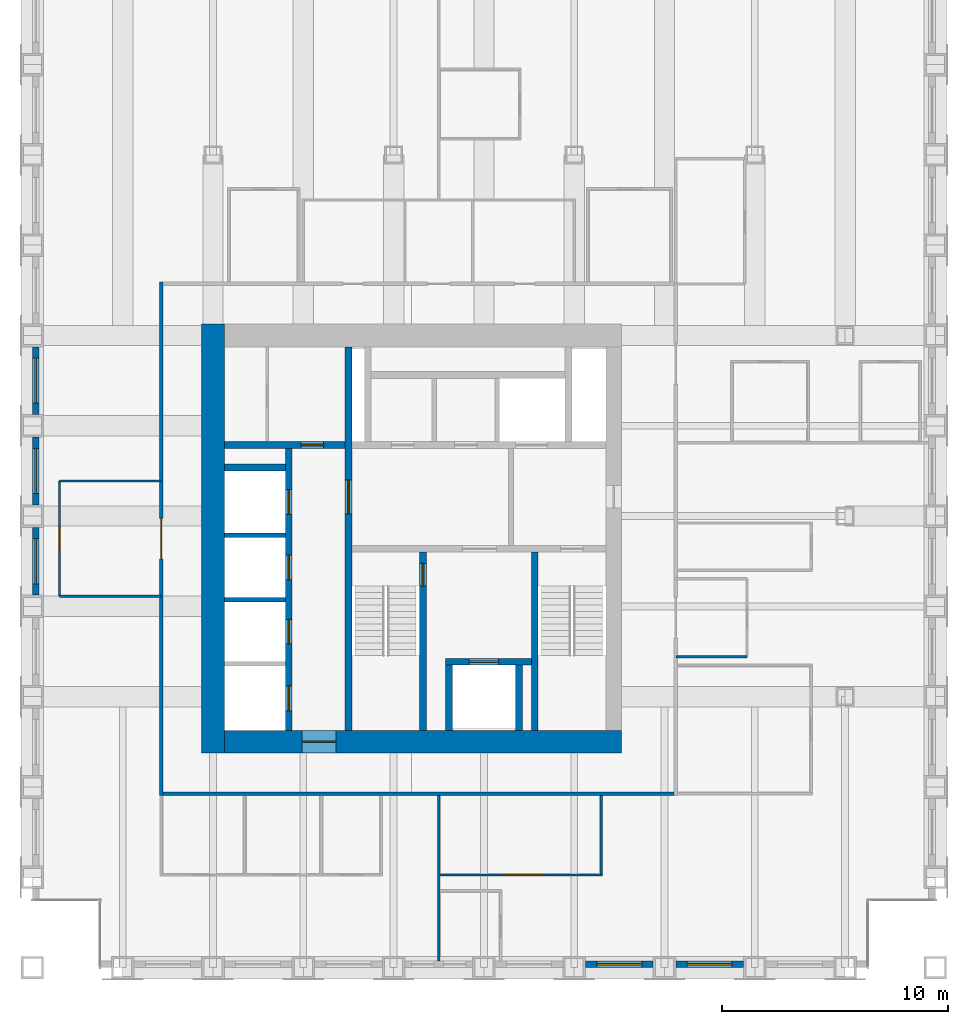
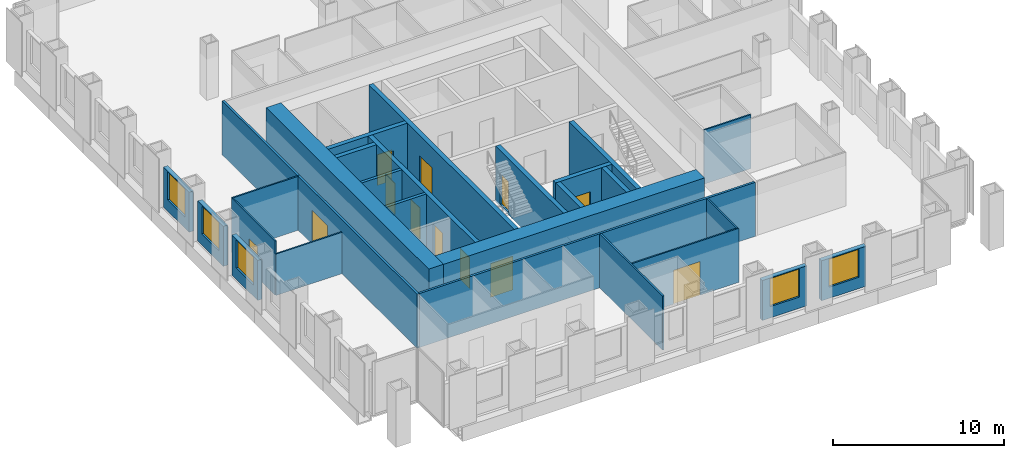
# One storey, part 9 of 14: 27 walls, 12 doors, 5 windows, 17 openings.
"""IFC4 building model written with IfcOpenShell, lengths in metres."""

from ifc_helpers import new_model, si_unit, direction, frame, frame_2d, origin, place, context, subcontext, project, spatial, rectangle, extrude, material, layer, layer_set, type_object, element, fill, save


model = new_model("IFC4")

# Units and contexts
model_context = context("Model", 3, precision=1e-05, world=origin(), true_north=direction((0.0, 1.0)))
body_context = subcontext(model_context, "Body", "Model", "MODEL_VIEW")
ifc_project = project(units=[si_unit("LENGTHUNIT", "METRE"), si_unit("AREAUNIT", "SQUARE_METRE"), si_unit("VOLUMEUNIT", "CUBIC_METRE"), si_unit("PLANEANGLEUNIT", "RADIAN"), si_unit("MASSUNIT", "GRAM", prefix="KILO")], contexts=[model_context])

# Site, building, storey
site_placement = place(None, origin())
site = spatial("IfcSite", under=ifc_project, at=site_placement, CompositionType="ELEMENT")
building_placement = place(site_placement, origin())
building = spatial("IfcBuilding", under=site, at=building_placement, Name="Rimbunsela Tower", CompositionType="ELEMENT")
storey_placement = place(building_placement, frame((0.0, 0.0, 226.199951171875)))
storey = spatial("IfcBuildingStorey", under=building, at=storey_placement, Name="L54", CompositionType="ELEMENT", Elevation=226.199951171875)

# Wall, opening, door
ifc_material_1 = material(Name="Concrete fc' 80 MPa", Category="concrete")
ifc_layer_1 = layer(ifc_material_1, 0.300048828125)
ifc_layer_set_1 = layer_set([ifc_layer_1], Name="Core internal wall 300")
wall_type_1 = type_object("IfcWallType", Name="Core internal wall 300", PredefinedType="SHEAR", material=ifc_layer_set_1)
wall_1_placement = place(storey_placement, frame((24.0, 18.5, -0.14990234375), z_axis=(0.0, 0.0, 1.0), x_axis=(0.0, 1.0, 0.0)))
wall_1 = element("IfcWall", 1, at=wall_1_placement, inside=storey, type_object=wall_type_1, Name="Core wall at stair A", PredefinedType="SHEAR", context=body_context, shape_type="SweptSolid", body=[
    extrude(rectangle(XDim=17.0, YDim=0.300048828125, at=frame_2d((8.5, 0.0))), origin(), (0.0, 0.0, 1.0), 4.0),
])
opening_1_placement = place(wall_1_placement, frame((9.60009765625, 0.0, 0.14990234375)))
opening_1 = element("IfcOpeningElement", 2, at=opening_1_placement, cuts=wall_1, Name="Opening D03", PredefinedType="OPENING", context=body_context, shape_type="SweptSolid", body=[
    extrude(rectangle(XDim=1.5, YDim=2.39990234375, at=frame_2d((0.75, 1.199951171875))), frame((0.0, 0.159912109375, 0.0), z_axis=(0.0, -1.0, 0.0), x_axis=(1.0, 0.0, 0.0)), (0.0, 0.0, 1.0), 0.320068359375),
])
ifc_material_2 = material(Name="Steel door, fire rated", Category="steel")
door_type_1 = type_object("IfcDoorType", Name="Core lobby door 1500", OperationType="DOUBLE_DOOR_DOUBLE_SWING", PredefinedType="DOOR", material=ifc_material_2)
door_1_placement = place(opening_1_placement, origin())
door_1 = element("IfcDoor", 3, at=door_1_placement, inside=storey, type_object=door_type_1, Name="West lobby door", OperationType="DOUBLE_DOOR_DOUBLE_SWING", OverallHeight=2.39990234375, OverallWidth=1.5, PredefinedType="DOOR", context=body_context, shape_type="SweptSolid", body=[
    extrude(rectangle(XDim=1.5, YDim=2.39990234375, at=frame_2d((0.75, 1.199951171875))), frame((0.0, 0.02490234375, 0.0), z_axis=(0.0, -1.0, 0.0), x_axis=(1.0, 0.0, 0.0)), (0.0, 0.0, 1.0), 0.050048828125),
])
fill(opening_1, door_1)

wall_2_placement = place(storey_placement, frame((27.300048828125, 18.5, -0.14990234375), z_axis=(0.0, 0.0, 1.0), x_axis=(0.0, 1.0, 0.0)))
wall_2 = element("IfcWall", 4, at=wall_2_placement, inside=storey, type_object=wall_type_1, Name="Stair A enclosure", PredefinedType="SHEAR", context=body_context, shape_type="SweptSolid", body=[
    extrude(rectangle(XDim=7.89990234375, YDim=0.300048828125, at=frame_2d((3.949951171875, 0.0))), origin(), (0.0, 0.0, 1.0), 4.0),
])
opening_2_placement = place(wall_2_placement, frame((6.39990234375, 0.0, 0.14990234375)))
opening_2 = element("IfcOpeningElement", 5, at=opening_2_placement, cuts=wall_2, Name="Opening D01", PredefinedType="OPENING", context=body_context, shape_type="SweptSolid", body=[
    extrude(rectangle(XDim=1.0, YDim=2.199951171875, at=frame_2d((0.5, 1.10009765625))), frame((0.0, 0.159912109375, 0.0), z_axis=(0.0, -1.0, 0.0), x_axis=(1.0, 0.0, 0.0)), (0.0, 0.0, 1.0), 0.320068359375),
])
ifc_material_3 = material(Name="Steel door, fire rated", Category="steel")
door_type_2 = type_object("IfcDoorType", Name="Stair door 1000", OperationType="SINGLE_SWING_RIGHT", PredefinedType="DOOR", material=ifc_material_3)
door_2_placement = place(opening_2_placement, origin())
door_2 = element("IfcDoor", 6, at=door_2_placement, inside=storey, type_object=door_type_2, Name="Stair A door", OperationType="SINGLE_SWING_RIGHT", OverallHeight=2.199951171875, OverallWidth=1.0, PredefinedType="DOOR", context=body_context, shape_type="SweptSolid", body=[
    extrude(rectangle(XDim=1.0, YDim=2.199951171875, at=frame_2d((0.5, 1.10009765625))), frame((0.0, 0.02490234375, 0.0), z_axis=(0.0, -1.0, 0.0), x_axis=(1.0, 0.0, 0.0)), (0.0, 0.0, 1.0), 0.050048828125),
])
fill(opening_2, door_2)

# Walls
wall_3_placement = place(storey_placement, frame((32.25, 18.5, -0.14990234375), z_axis=(0.0, 0.0, 1.0), x_axis=(0.0, 1.0, 0.0)))
element("IfcWall", 7, at=wall_3_placement, inside=storey, type_object=wall_type_1, Name="Stair B enclosure", PredefinedType="SHEAR", context=body_context, shape_type="SweptSolid", body=[
    extrude(rectangle(XDim=7.89990234375, YDim=0.300048828125, at=frame_2d((3.949951171875, 0.0))), origin(), (0.0, 0.0, 1.0), 4.0),
])
for number, where, z_axis, x_axis, name in (
    (8, (28.449951171875, 18.5, -0.14990234375), (0.0, 0.0, 1.0), (0.0, 1.0, 0.0), "Firefighting lift shaft west"),
    (9, (31.550048828125, 18.5, -0.14990234375), (0.0, 0.0, 1.0), (0.0, 1.0, 0.0), "Firefighting lift shaft east"),
):
    element("IfcWall", number, at=place(storey_placement, frame(where, z_axis=z_axis, x_axis=x_axis)), inside=storey, type_object=wall_type_1, Name=name, PredefinedType="SHEAR", context=body_context, shape_type="SweptSolid", body=[
        extrude(rectangle(XDim=2.89990234375, YDim=0.300048828125, at=frame_2d((1.449951171875, 0.0))), origin(), (0.0, 0.0, 1.0), 4.0),
    ])

# Wall, opening, door
wall_4_placement = place(storey_placement, frame((28.300048828125, 21.550048828125, -0.14990234375), z_axis=(0.0, 0.0, 1.0), x_axis=(1.0, 0.0, 0.0)))
wall_4 = element("IfcWall", 10, at=wall_4_placement, inside=storey, type_object=wall_type_1, Name="Firefighting lift shaft front", PredefinedType="SHEAR", context=body_context, shape_type="SweptSolid", body=[
    extrude(rectangle(XDim=3.800048828125, YDim=0.300048828125, at=frame_2d((1.89990234375, 0.0))), origin(), (0.0, 0.0, 1.0), 4.0),
])
opening_3_placement = place(wall_4_placement, frame((1.050048828125, 0.0, 0.14990234375)))
opening_3 = element("IfcOpeningElement", 11, at=opening_3_placement, cuts=wall_4, Name="Opening LD2", PredefinedType="OPENING", context=body_context, shape_type="SweptSolid", body=[
    extrude(rectangle(XDim=1.300048828125, YDim=2.39990234375, at=frame_2d((0.64990234375, 1.199951171875))), frame((0.0, 0.159912109375, 0.0), z_axis=(0.0, -1.0, 0.0), x_axis=(1.0, 0.0, 0.0)), (0.0, 0.0, 1.0), 0.320068359375),
])
ifc_material_4 = material(Name="Steel door, fire rated", Category="steel")
door_type_3 = type_object("IfcDoorType", Name="Lift landing door 1300", OperationType="DOUBLE_DOOR_SLIDING", PredefinedType="DOOR", material=ifc_material_4)
door_3_placement = place(opening_3_placement, origin())
door_3 = element("IfcDoor", 12, at=door_3_placement, inside=storey, type_object=door_type_3, Name="Lift landing door FL1", OperationType="DOUBLE_DOOR_SLIDING", OverallHeight=2.39990234375, OverallWidth=1.300048828125, PredefinedType="DOOR", context=body_context, shape_type="SweptSolid", body=[
    extrude(rectangle(XDim=1.300048828125, YDim=2.39990234375, at=frame_2d((0.64990234375, 1.199951171875))), frame((0.0, 0.02490234375, 0.0), z_axis=(0.0, -1.0, 0.0), x_axis=(1.0, 0.0, 0.0)), (0.0, 0.0, 1.0), 0.050048828125),
])
fill(opening_3, door_3)

# Wall, openings, doors
wall_5_placement = place(storey_placement, frame((21.35009765625, 18.5, -0.14990234375), z_axis=(0.0, 0.0, 1.0), x_axis=(0.0, 1.0, 0.0)))
wall_5 = element("IfcWall", 13, at=wall_5_placement, inside=storey, type_object=wall_type_1, Name="Lift shaft front west", PredefinedType="SHEAR", context=body_context, shape_type="SweptSolid", body=[
    extrude(rectangle(XDim=12.5, YDim=0.300048828125, at=frame_2d((6.25, 0.0))), origin(), (0.0, 0.0, 1.0), 4.0),
])
opening_4_placement = place(wall_5_placement, frame((0.875, 0.0, 0.14990234375)))
opening_4 = element("IfcOpeningElement", 14, at=opening_4_placement, cuts=wall_5, Name="Opening LD1", PredefinedType="OPENING", context=body_context, shape_type="SweptSolid", body=[
    extrude(rectangle(XDim=1.10009765625, YDim=2.199951171875, at=frame_2d((0.550048828125, 1.10009765625))), frame((0.0, 0.159912109375, 0.0), z_axis=(0.0, -1.0, 0.0), x_axis=(1.0, 0.0, 0.0)), (0.0, 0.0, 1.0), 0.320068359375),
])
opening_5_placement = place(wall_5_placement, frame((3.824951171875, 0.0, 0.14990234375)))
opening_5 = element("IfcOpeningElement", 15, at=opening_5_placement, cuts=wall_5, Name="Opening LD1", PredefinedType="OPENING", context=body_context, shape_type="SweptSolid", body=[
    extrude(rectangle(XDim=1.10009765625, YDim=2.199951171875, at=frame_2d((0.550048828125, 1.10009765625))), frame((0.0, 0.159912109375, 0.0), z_axis=(0.0, -1.0, 0.0), x_axis=(1.0, 0.0, 0.0)), (0.0, 0.0, 1.0), 0.320068359375),
])
opening_6_placement = place(wall_5_placement, frame((6.675048828125, 0.0, 0.14990234375)))
opening_6 = element("IfcOpeningElement", 16, at=opening_6_placement, cuts=wall_5, Name="Opening LD1", PredefinedType="OPENING", context=body_context, shape_type="SweptSolid", body=[
    extrude(rectangle(XDim=1.10009765625, YDim=2.199951171875, at=frame_2d((0.550048828125, 1.10009765625))), frame((0.0, 0.159912109375, 0.0), z_axis=(0.0, -1.0, 0.0), x_axis=(1.0, 0.0, 0.0)), (0.0, 0.0, 1.0), 0.320068359375),
])
opening_7_placement = place(wall_5_placement, frame((9.574951171875, 0.0, 0.14990234375)))
opening_7 = element("IfcOpeningElement", 17, at=opening_7_placement, cuts=wall_5, Name="Opening LD1", PredefinedType="OPENING", context=body_context, shape_type="SweptSolid", body=[
    extrude(rectangle(XDim=1.10009765625, YDim=2.199951171875, at=frame_2d((0.550048828125, 1.10009765625))), frame((0.0, 0.159912109375, 0.0), z_axis=(0.0, -1.0, 0.0), x_axis=(1.0, 0.0, 0.0)), (0.0, 0.0, 1.0), 0.320068359375),
])
ifc_material_5 = material(Name="Steel door, fire rated", Category="steel")
door_type_4 = type_object("IfcDoorType", Name="Lift landing door 1100", OperationType="DOUBLE_DOOR_SLIDING", PredefinedType="DOOR", material=ifc_material_5)
door_4_placement = place(opening_4_placement, origin())
door_4 = element("IfcDoor", 18, at=door_4_placement, inside=storey, type_object=door_type_4, Name="Lift landing door TL1", OperationType="DOUBLE_DOOR_SLIDING", OverallHeight=2.199951171875, OverallWidth=1.10009765625, PredefinedType="DOOR", context=body_context, shape_type="SweptSolid", body=[
    extrude(rectangle(XDim=1.10009765625, YDim=2.199951171875, at=frame_2d((0.550048828125, 1.10009765625))), frame((0.0, 0.02490234375, 0.0), z_axis=(0.0, -1.0, 0.0), x_axis=(1.0, 0.0, 0.0)), (0.0, 0.0, 1.0), 0.050048828125),
])
fill(opening_4, door_4)
door_5_placement = place(opening_5_placement, origin())
door_5 = element("IfcDoor", 19, at=door_5_placement, inside=storey, type_object=door_type_4, Name="Lift landing door TL2", OperationType="DOUBLE_DOOR_SLIDING", OverallHeight=2.199951171875, OverallWidth=1.10009765625, PredefinedType="DOOR", context=body_context, shape_type="SweptSolid", body=[
    extrude(rectangle(XDim=1.10009765625, YDim=2.199951171875, at=frame_2d((0.550048828125, 1.10009765625))), frame((0.0, 0.02490234375, 0.0), z_axis=(0.0, -1.0, 0.0), x_axis=(1.0, 0.0, 0.0)), (0.0, 0.0, 1.0), 0.050048828125),
])
fill(opening_5, door_5)
door_6_placement = place(opening_6_placement, origin())
door_6 = element("IfcDoor", 20, at=door_6_placement, inside=storey, type_object=door_type_4, Name="Lift landing door TL3", OperationType="DOUBLE_DOOR_SLIDING", OverallHeight=2.199951171875, OverallWidth=1.10009765625, PredefinedType="DOOR", context=body_context, shape_type="SweptSolid", body=[
    extrude(rectangle(XDim=1.10009765625, YDim=2.199951171875, at=frame_2d((0.550048828125, 1.10009765625))), frame((0.0, 0.02490234375, 0.0), z_axis=(0.0, -1.0, 0.0), x_axis=(1.0, 0.0, 0.0)), (0.0, 0.0, 1.0), 0.050048828125),
])
fill(opening_6, door_6)
door_7_placement = place(opening_7_placement, origin())
door_7 = element("IfcDoor", 21, at=door_7_placement, inside=storey, type_object=door_type_4, Name="Lift landing door TL4", OperationType="DOUBLE_DOOR_SLIDING", OverallHeight=2.199951171875, OverallWidth=1.10009765625, PredefinedType="DOOR", context=body_context, shape_type="SweptSolid", body=[
    extrude(rectangle(XDim=1.10009765625, YDim=2.199951171875, at=frame_2d((0.550048828125, 1.10009765625))), frame((0.0, 0.02490234375, 0.0), z_axis=(0.0, -1.0, 0.0), x_axis=(1.0, 0.0, 0.0)), (0.0, 0.0, 1.0), 0.050048828125),
])
fill(opening_7, door_7)

# Wall, opening, door
wall_6_placement = place(storey_placement, frame((18.5, 31.14990234375, -0.14990234375), z_axis=(0.0, 0.0, 1.0), x_axis=(1.0, 0.0, 0.0)))
wall_6 = element("IfcWall", 22, at=wall_6_placement, inside=storey, type_object=wall_type_1, Name="Store wall", PredefinedType="SHEAR", context=body_context, shape_type="SweptSolid", body=[
    extrude(rectangle(XDim=5.35009765625, YDim=0.300048828125, at=frame_2d((2.675048828125, 0.0))), origin(), (0.0, 0.0, 1.0), 4.0),
])
opening_8_placement = place(wall_6_placement, frame((3.39990234375, 0.0, 0.14990234375)))
opening_8 = element("IfcOpeningElement", 23, at=opening_8_placement, cuts=wall_6, Name="Opening D19", PredefinedType="OPENING", context=body_context, shape_type="SweptSolid", body=[
    extrude(rectangle(XDim=1.0, YDim=2.199951171875, at=frame_2d((0.5, 1.10009765625))), frame((0.0, 0.159912109375, 0.0), z_axis=(0.0, -1.0, 0.0), x_axis=(1.0, 0.0, 0.0)), (0.0, 0.0, 1.0), 0.320068359375),
])
ifc_material_6 = material(Name="Steel door, fire rated", Category="steel")
door_type_5 = type_object("IfcDoorType", Name="Service door 1000 fire rated", OperationType="SINGLE_SWING_LEFT", PredefinedType="DOOR", material=ifc_material_6)
door_8_placement = place(opening_8_placement, origin())
door_8 = element("IfcDoor", 24, at=door_8_placement, inside=storey, type_object=door_type_5, Name="Cleaners store door", OperationType="SINGLE_SWING_LEFT", OverallHeight=2.199951171875, OverallWidth=1.0, PredefinedType="DOOR", context=body_context, shape_type="SweptSolid", body=[
    extrude(rectangle(XDim=1.0, YDim=2.199951171875, at=frame_2d((0.5, 1.10009765625))), frame((0.0, 0.02490234375, 0.0), z_axis=(0.0, -1.0, 0.0), x_axis=(1.0, 0.0, 0.0)), (0.0, 0.0, 1.0), 0.050048828125),
])
fill(opening_8, door_8)

# Walls
wall_7_placement = place(storey_placement, frame((18.5, 30.14990234375, -0.14990234375), z_axis=(0.0, 0.0, 1.0), x_axis=(1.0, 0.0, 0.0)))
element("IfcWall", 25, at=wall_7_placement, inside=storey, type_object=wall_type_1, Name="Lift shaft rear west", PredefinedType="SHEAR", context=body_context, shape_type="SweptSolid", body=[
    extrude(rectangle(XDim=2.699951171875, YDim=0.300048828125, at=frame_2d((1.35009765625, 0.0))), origin(), (0.0, 0.0, 1.0), 4.0),
])
ifc_material_7 = material(Name="Concrete fc' 80 MPa", Category="concrete")
ifc_layer_2 = layer(ifc_material_7, 1.0)
ifc_layer_set_2 = layer_set([ifc_layer_2], Name="Core wall 1000")
wall_type_2 = type_object("IfcWallType", Name="Core wall 1000", PredefinedType="SHEAR", material=ifc_layer_set_2)
wall_8_placement = place(storey_placement, frame((18.0, 17.5, -0.14990234375), z_axis=(0.0, 0.0, 1.0), x_axis=(0.0, 1.0, 0.0)))
element("IfcWall", 26, at=wall_8_placement, inside=storey, type_object=wall_type_2, Name="Core wall west", PredefinedType="SHEAR", context=body_context, shape_type="SweptSolid", body=[
    extrude(rectangle(XDim=19.0, YDim=1.0, at=frame_2d((9.5, 0.0))), origin(), (0.0, 0.0, 1.0), 4.0),
])

# Wall, opening, door
wall_9_placement = place(storey_placement, frame((18.5, 18.0, -0.14990234375), z_axis=(0.0, 0.0, 1.0), x_axis=(1.0, 0.0, 0.0)))
wall_9 = element("IfcWall", 27, at=wall_9_placement, inside=storey, type_object=wall_type_2, Name="Core wall south", PredefinedType="SHEAR", context=body_context, shape_type="SweptSolid", body=[
    extrude(rectangle(XDim=17.60009765625, YDim=1.0, at=frame_2d((8.800048828125, 0.0))), origin(), (0.0, 0.0, 1.0), 4.0),
])
opening_9_placement = place(wall_9_placement, frame((3.449951171875, 0.0, 0.14990234375)))
opening_9 = element("IfcOpeningElement", 28, at=opening_9_placement, cuts=wall_9, Name="Opening D03", PredefinedType="OPENING", context=body_context, shape_type="SweptSolid", body=[
    extrude(rectangle(XDim=1.5, YDim=2.39990234375, at=frame_2d((0.75, 1.199951171875))), frame((0.0, 0.510009765625, 0.0), z_axis=(0.0, -1.0, 0.0), x_axis=(1.0, 0.0, 0.0)), (0.0, 0.0, 1.0), 1.02001953125),
])
door_9_placement = place(opening_9_placement, origin())
door_9 = element("IfcDoor", 29, at=door_9_placement, inside=storey, type_object=door_type_1, Name="Core door south", OperationType="DOUBLE_DOOR_DOUBLE_SWING", OverallHeight=2.39990234375, OverallWidth=1.5, PredefinedType="DOOR", context=body_context, shape_type="SweptSolid", body=[
    extrude(rectangle(XDim=1.5, YDim=2.39990234375, at=frame_2d((0.75, 1.199951171875))), frame((0.0, 0.02490234375, 0.0), z_axis=(0.0, -1.0, 0.0), x_axis=(1.0, 0.0, 0.0)), (0.0, 0.0, 1.0), 0.050048828125),
])
fill(opening_9, door_9)

# Walls
ifc_material_8 = material(Name="Concrete blockwork", Category="masonry")
ifc_layer_3 = layer(ifc_material_8, 0.199951171875)
ifc_layer_set_3 = layer_set([ifc_layer_3], Name="Lift shaft wall 200")
wall_type_3 = type_object("IfcWallType", Name="Lift shaft wall 200", PredefinedType="SOLIDWALL", material=ifc_layer_set_3)
for number, where, z_axis, x_axis, name in (
    (30, (18.5, 24.300048828125, -0.14990234375), (0.0, 0.0, 1.0), (1.0, 0.0, 0.0), "Lift shaft separation"),
    (31, (18.5, 27.14990234375, -0.14990234375), (0.0, 0.0, 1.0), (1.0, 0.0, 0.0), "Lift shaft separation"),
):
    element("IfcWall", number, at=place(storey_placement, frame(where, z_axis=z_axis, x_axis=x_axis)), inside=storey, type_object=wall_type_3, Name=name, PredefinedType="SOLIDWALL", context=body_context, shape_type="SweptSolid", body=[
        extrude(rectangle(XDim=2.699951171875, YDim=0.199951171875, at=frame_2d((1.35009765625, 0.0))), origin(), (0.0, 0.0, 1.0), 4.0),
    ])

# Wall, opening, door
ifc_material_9 = material(Name="Gypsum board on steel studs", Category="steel")
ifc_layer_4 = layer(ifc_material_9, 0.10009765625)
ifc_layer_set_4 = layer_set([ifc_layer_4], Name="Office partition 100")
wall_type_4 = type_object("IfcWallType", Name="Office partition 100", PredefinedType="PARTITIONING", material=ifc_layer_set_4)
wall_10_placement = place(storey_placement, frame((28.06103515625, 12.10009765625, 0.0), z_axis=(0.0, 0.0, 1.0), x_axis=(1.0, 0.0, 0.0)))
wall_10 = element("IfcWall", 32, at=wall_10_placement, inside=storey, type_object=wall_type_4, Name="Office partition", PredefinedType="PARTITIONING", context=body_context, shape_type="SweptSolid", body=[
    extrude(rectangle(XDim=7.18994140625, YDim=0.10009765625, at=frame_2d((3.594970703125, 0.0))), origin(), (0.0, 0.0, 1.0), 3.85009765625),
])
opening_10_placement = place(wall_10_placement, frame((2.7900390625, 0.0, 0.0)))
opening_10 = element("IfcOpeningElement", 33, at=opening_10_placement, cuts=wall_10, Name="Opening D18", PredefinedType="OPENING", context=body_context, shape_type="SweptSolid", body=[
    extrude(rectangle(XDim=1.800048828125, YDim=2.39990234375, at=frame_2d((0.89990234375, 1.199951171875))), frame((0.0, 0.06005859375, 0.0), z_axis=(0.0, -1.0, 0.0), x_axis=(1.0, 0.0, 0.0)), (0.0, 0.0, 1.0), 0.1201171875),
])
ifc_material_10 = material(Name="Glazed aluminium door", Category="aluminium")
door_type_6 = type_object("IfcDoorType", Name="Boardroom door 1800 glazed", OperationType="DOUBLE_DOOR_DOUBLE_SWING", PredefinedType="DOOR", material=ifc_material_10)
door_10_placement = place(opening_10_placement, origin())
door_10 = element("IfcDoor", 34, at=door_10_placement, inside=storey, type_object=door_type_6, Name="Boardroom door", OperationType="DOUBLE_DOOR_DOUBLE_SWING", OverallHeight=2.39990234375, OverallWidth=1.800048828125, PredefinedType="DOOR", context=body_context, shape_type="SweptSolid", body=[
    extrude(rectangle(XDim=1.800048828125, YDim=2.39990234375, at=frame_2d((0.89990234375, 1.199951171875))), frame((0.0, 0.02490234375, 0.0), z_axis=(0.0, -1.0, 0.0), x_axis=(1.0, 0.0, 0.0)), (0.0, 0.0, 1.0), 0.050048828125),
])
fill(opening_10, door_10)

# Walls
wall_11_placement = place(storey_placement, frame((35.200927734375, 12.14990234375, 0.0), z_axis=(0.0, 0.0, 1.0), x_axis=(0.0, 1.0, 0.0)))
element("IfcWall", 35, at=wall_11_placement, inside=storey, type_object=wall_type_4, Name="Office partition", PredefinedType="PARTITIONING", context=body_context, shape_type="SweptSolid", body=[
    extrude(rectangle(XDim=3.47509765625, YDim=0.10009765625, at=frame_2d((1.737548828125, 0.0))), origin(), (0.0, 0.0, 1.0), 3.85009765625),
])
wall_12_placement = place(storey_placement, frame((15.699951171875, 29.550048828125, 0.0), z_axis=(0.0, 0.0, 1.0), x_axis=(-1.0, 0.0, 0.0)))
element("IfcWall", 36, at=wall_12_placement, inside=storey, type_object=wall_type_4, Name="Office partition", PredefinedType="PARTITIONING", context=body_context, shape_type="SweptSolid", body=[
    extrude(rectangle(XDim=4.5, YDim=0.10009765625, at=frame_2d((2.25, 0.0))), origin(), (0.0, 0.0, 1.0), 3.85009765625),
])

# Wall, opening, door
wall_13_placement = place(storey_placement, frame((11.199951171875, 29.550048828125, 0.0), z_axis=(0.0, 0.0, 1.0), x_axis=(0.0, -1.0, 0.0)))
wall_13 = element("IfcWall", 37, at=wall_13_placement, inside=storey, type_object=wall_type_4, Name="Office partition", PredefinedType="PARTITIONING", context=body_context, shape_type="SweptSolid", body=[
    extrude(rectangle(XDim=5.10009765625, YDim=0.10009765625, at=frame_2d((2.550048828125, 0.0))), origin(), (0.0, 0.0, 1.0), 3.85009765625),
])
opening_11_placement = place(wall_13_placement, frame((2.050048828125, 0.0, 0.0)))
opening_11 = element("IfcOpeningElement", 38, at=opening_11_placement, cuts=wall_13, Name="Opening D17", PredefinedType="OPENING", context=body_context, shape_type="SweptSolid", body=[
    extrude(rectangle(XDim=1.0, YDim=2.199951171875, at=frame_2d((0.5, 1.10009765625))), frame((0.0, 0.06005859375, 0.0), z_axis=(0.0, -1.0, 0.0), x_axis=(1.0, 0.0, 0.0)), (0.0, 0.0, 1.0), 0.1201171875),
])
ifc_material_11 = material(Name="Glazed aluminium door", Category="aluminium")
door_type_7 = type_object("IfcDoorType", Name="Meeting room door 1000 glazed", OperationType="SINGLE_SWING_RIGHT", PredefinedType="DOOR", material=ifc_material_11)
door_11_placement = place(opening_11_placement, origin())
door_11 = element("IfcDoor", 39, at=door_11_placement, inside=storey, type_object=door_type_7, Name="Reception door", OperationType="SINGLE_SWING_RIGHT", OverallHeight=2.199951171875, OverallWidth=1.0, PredefinedType="DOOR", context=body_context, shape_type="SweptSolid", body=[
    extrude(rectangle(XDim=1.0, YDim=2.199951171875, at=frame_2d((0.5, 1.10009765625))), frame((0.0, 0.02490234375, 0.0), z_axis=(0.0, -1.0, 0.0), x_axis=(1.0, 0.0, 0.0)), (0.0, 0.0, 1.0), 0.050048828125),
])
fill(opening_11, door_11)

# Walls
wall_14_placement = place(storey_placement, frame((11.199951171875, 24.449951171875, 0.0), z_axis=(0.0, 0.0, 1.0), x_axis=(1.0, 0.0, 0.0)))
element("IfcWall", 40, at=wall_14_placement, inside=storey, type_object=wall_type_4, Name="Office partition", PredefinedType="PARTITIONING", context=body_context, shape_type="SweptSolid", body=[
    extrude(rectangle(XDim=4.5, YDim=0.10009765625, at=frame_2d((2.25, 0.0))), origin(), (0.0, 0.0, 1.0), 2.949951171875),
])
wall_15_placement = place(storey_placement, frame((38.5, 21.77392578125, 0.0), z_axis=(0.0, 0.0, 1.0), x_axis=(1.0, 0.0, 0.0)))
element("IfcWall", 41, at=wall_15_placement, inside=storey, type_object=wall_type_4, Name="Office partition", PredefinedType="PARTITIONING", context=body_context, shape_type="SweptSolid", body=[
    extrude(rectangle(XDim=3.14990234375, YDim=0.10009765625, at=frame_2d((1.574951171875, 0.0))), origin(), (0.0, 0.0, 1.0), 3.85009765625),
])

# Wall, opening, window
ifc_material_12 = material(Name="Precast concrete fc' 35 MPa", Category="concrete")
ifc_layer_5 = layer(ifc_material_12, 0.300048828125)
ifc_layer_set_5 = layer_set([ifc_layer_5], Name="Precast concrete fc' 35 MPa")
wall_type_5 = type_object("IfcWallType", Name="Precast facade panel 300", PredefinedType="ELEMENTEDWALL", material=ifc_layer_set_5)
wall_16_placement = place(storey_placement, frame((34.5, 8.14990234375, 0.0), z_axis=(0.0, 0.0, 1.0), x_axis=(1.0, 0.0, 0.0)))
wall_16 = element("IfcWall", 42, at=wall_16_placement, inside=storey, type_object=wall_type_5, Name="Facade panel S L54", PredefinedType="ELEMENTEDWALL", context=body_context, shape_type="SweptSolid", body=[
    extrude(rectangle(XDim=3.0, YDim=0.300048828125, at=frame_2d((1.5, 0.0))), origin(), (0.0, 0.0, 1.0), 2.85009765625),
])
opening_12_placement = place(wall_16_placement, frame((0.5, 0.0, 0.800048828125)))
opening_12 = element("IfcOpeningElement", 43, at=opening_12_placement, cuts=wall_16, Name="Opening W1", PredefinedType="OPENING", context=body_context, shape_type="SweptSolid", body=[
    extrude(rectangle(XDim=2.0, YDim=2.0, at=frame_2d((1.0, 1.0))), frame((0.0, 0.159912109375, 0.0), z_axis=(0.0, -1.0, 0.0), x_axis=(1.0, 0.0, 0.0)), (0.0, 0.0, 1.0), 0.320068359375),
])
ifc_material_13 = material(Name="Clear glass in aluminium frame", Category="aluminium")
window_type = type_object("IfcWindowType", Name="Window W1 2000x2000", PartitioningType="DOUBLE_PANEL_VERTICAL", PredefinedType="WINDOW", material=ifc_material_13)
window_1_placement = place(opening_12_placement, origin())
window_1 = element("IfcWindow", 44, at=window_1_placement, inside=storey, type_object=window_type, Name="Window L54", OverallHeight=2.0, OverallWidth=2.0, PartitioningType="SINGLE_PANEL", PredefinedType="WINDOW", context=body_context, shape_type="SweptSolid", body=[
    extrude(rectangle(XDim=2.0, YDim=2.0, at=frame_2d((1.0, 1.0))), frame((0.0, 0.030029296875, 0.0), z_axis=(0.0, -1.0, 0.0), x_axis=(1.0, 0.0, 0.0)), (0.0, 0.0, 1.0), 0.06005859375),
])
fill(opening_12, window_1)

wall_17_placement = place(storey_placement, frame((38.5, 8.14990234375, 0.0), z_axis=(0.0, 0.0, 1.0), x_axis=(1.0, 0.0, 0.0)))
wall_17 = element("IfcWall", 45, at=wall_17_placement, inside=storey, type_object=wall_type_5, Name="Facade panel S L54", PredefinedType="ELEMENTEDWALL", context=body_context, shape_type="SweptSolid", body=[
    extrude(rectangle(XDim=3.0, YDim=0.300048828125, at=frame_2d((1.5, 0.0))), origin(), (0.0, 0.0, 1.0), 2.85009765625),
])
opening_13_placement = place(wall_17_placement, frame((0.5, 0.0, 0.800048828125)))
opening_13 = element("IfcOpeningElement", 46, at=opening_13_placement, cuts=wall_17, Name="Opening W1", PredefinedType="OPENING", context=body_context, shape_type="SweptSolid", body=[
    extrude(rectangle(XDim=2.0, YDim=2.0, at=frame_2d((1.0, 1.0))), frame((0.0, 0.159912109375, 0.0), z_axis=(0.0, -1.0, 0.0), x_axis=(1.0, 0.0, 0.0)), (0.0, 0.0, 1.0), 0.320068359375),
])
window_2_placement = place(opening_13_placement, origin())
window_2 = element("IfcWindow", 47, at=window_2_placement, inside=storey, type_object=window_type, Name="Window L54", OverallHeight=2.0, OverallWidth=2.0, PartitioningType="SINGLE_PANEL", PredefinedType="WINDOW", context=body_context, shape_type="SweptSolid", body=[
    extrude(rectangle(XDim=2.0, YDim=2.0, at=frame_2d((1.0, 1.0))), frame((0.0, 0.030029296875, 0.0), z_axis=(0.0, -1.0, 0.0), x_axis=(1.0, 0.0, 0.0)), (0.0, 0.0, 1.0), 0.06005859375),
])
fill(opening_13, window_2)

wall_18_placement = place(storey_placement, frame((10.14990234375, 27.5, 0.0), z_axis=(0.0, 0.0, 1.0), x_axis=(0.0, -1.0, 0.0)))
wall_18 = element("IfcWall", 48, at=wall_18_placement, inside=storey, type_object=wall_type_5, Name="Facade panel W L54", PredefinedType="ELEMENTEDWALL", context=body_context, shape_type="SweptSolid", body=[
    extrude(rectangle(XDim=3.0, YDim=0.300048828125, at=frame_2d((1.5, 0.0))), origin(), (0.0, 0.0, 1.0), 2.85009765625),
])
opening_14_placement = place(wall_18_placement, frame((0.5, 0.0, 0.800048828125)))
opening_14 = element("IfcOpeningElement", 49, at=opening_14_placement, cuts=wall_18, Name="Opening W1", PredefinedType="OPENING", context=body_context, shape_type="SweptSolid", body=[
    extrude(rectangle(XDim=2.0, YDim=2.0, at=frame_2d((1.0, 1.0))), frame((0.0, 0.159912109375, 0.0), z_axis=(0.0, -1.0, 0.0), x_axis=(1.0, 0.0, 0.0)), (0.0, 0.0, 1.0), 0.320068359375),
])
window_3_placement = place(opening_14_placement, origin())
window_3 = element("IfcWindow", 50, at=window_3_placement, inside=storey, type_object=window_type, Name="Window L54", OverallHeight=2.0, OverallWidth=2.0, PartitioningType="SINGLE_PANEL", PredefinedType="WINDOW", context=body_context, shape_type="SweptSolid", body=[
    extrude(rectangle(XDim=2.0, YDim=2.0, at=frame_2d((1.0, 1.0))), frame((0.0, 0.030029296875, 0.0), z_axis=(0.0, -1.0, 0.0), x_axis=(1.0, 0.0, 0.0)), (0.0, 0.0, 1.0), 0.06005859375),
])
fill(opening_14, window_3)

wall_19_placement = place(storey_placement, frame((10.14990234375, 31.5, 0.0), z_axis=(0.0, 0.0, 1.0), x_axis=(0.0, -1.0, 0.0)))
wall_19 = element("IfcWall", 51, at=wall_19_placement, inside=storey, type_object=wall_type_5, Name="Facade panel W L54", PredefinedType="ELEMENTEDWALL", context=body_context, shape_type="SweptSolid", body=[
    extrude(rectangle(XDim=3.0, YDim=0.300048828125, at=frame_2d((1.5, 0.0))), origin(), (0.0, 0.0, 1.0), 2.85009765625),
])
opening_15_placement = place(wall_19_placement, frame((0.5, 0.0, 0.800048828125)))
opening_15 = element("IfcOpeningElement", 52, at=opening_15_placement, cuts=wall_19, Name="Opening W1", PredefinedType="OPENING", context=body_context, shape_type="SweptSolid", body=[
    extrude(rectangle(XDim=2.0, YDim=2.0, at=frame_2d((1.0, 1.0))), frame((0.0, 0.159912109375, 0.0), z_axis=(0.0, -1.0, 0.0), x_axis=(1.0, 0.0, 0.0)), (0.0, 0.0, 1.0), 0.320068359375),
])
window_4_placement = place(opening_15_placement, origin())
window_4 = element("IfcWindow", 53, at=window_4_placement, inside=storey, type_object=window_type, Name="Window L54", OverallHeight=2.0, OverallWidth=2.0, PartitioningType="SINGLE_PANEL", PredefinedType="WINDOW", context=body_context, shape_type="SweptSolid", body=[
    extrude(rectangle(XDim=2.0, YDim=2.0, at=frame_2d((1.0, 1.0))), frame((0.0, 0.030029296875, 0.0), z_axis=(0.0, -1.0, 0.0), x_axis=(1.0, 0.0, 0.0)), (0.0, 0.0, 1.0), 0.06005859375),
])
fill(opening_15, window_4)

wall_20_placement = place(storey_placement, frame((10.14990234375, 35.5, 0.0), z_axis=(0.0, 0.0, 1.0), x_axis=(0.0, -1.0, 0.0)))
wall_20 = element("IfcWall", 54, at=wall_20_placement, inside=storey, type_object=wall_type_5, Name="Facade panel W L54", PredefinedType="ELEMENTEDWALL", context=body_context, shape_type="SweptSolid", body=[
    extrude(rectangle(XDim=3.0, YDim=0.300048828125, at=frame_2d((1.5, 0.0))), origin(), (0.0, 0.0, 1.0), 2.85009765625),
])
opening_16_placement = place(wall_20_placement, frame((0.5, 0.0, 0.800048828125)))
opening_16 = element("IfcOpeningElement", 55, at=opening_16_placement, cuts=wall_20, Name="Opening W1", PredefinedType="OPENING", context=body_context, shape_type="SweptSolid", body=[
    extrude(rectangle(XDim=2.0, YDim=2.0, at=frame_2d((1.0, 1.0))), frame((0.0, 0.159912109375, 0.0), z_axis=(0.0, -1.0, 0.0), x_axis=(1.0, 0.0, 0.0)), (0.0, 0.0, 1.0), 0.320068359375),
])
window_5_placement = place(opening_16_placement, origin())
window_5 = element("IfcWindow", 56, at=window_5_placement, inside=storey, type_object=window_type, Name="Window L54", OverallHeight=2.0, OverallWidth=2.0, PartitioningType="SINGLE_PANEL", PredefinedType="WINDOW", context=body_context, shape_type="SweptSolid", body=[
    extrude(rectangle(XDim=2.0, YDim=2.0, at=frame_2d((1.0, 1.0))), frame((0.0, 0.030029296875, 0.0), z_axis=(0.0, -1.0, 0.0), x_axis=(1.0, 0.0, 0.0)), (0.0, 0.0, 1.0), 0.06005859375),
])
fill(opening_16, window_5)

# Wall, opening, door
ifc_material_14 = material(Name="Fire-rated gypsum board on steel studs, EI 60", Category="steel")
ifc_layer_6 = layer(ifc_material_14, 0.14990234375)
ifc_layer_set_6 = layer_set([ifc_layer_6], Name="Rated corridor wall 150")
wall_type_6 = type_object("IfcWallType", Name="Rated corridor wall 150", PredefinedType="PARTITIONING", material=ifc_layer_set_6)
wall_21_placement = place(storey_placement, frame((15.699951171875, 15.625, 0.0), z_axis=(0.0, 0.0, 1.0), x_axis=(0.0, 1.0, 0.0)))
wall_21 = element("IfcWall", 57, at=wall_21_placement, inside=storey, type_object=wall_type_6, Name="Corridor wall west", PredefinedType="PARTITIONING", context=body_context, shape_type="SweptSolid", body=[
    extrude(rectangle(XDim=22.75, YDim=0.14990234375, at=frame_2d((11.375, 0.0))), origin(), (0.0, 0.0, 1.0), 3.85009765625),
])
opening_17_placement = place(wall_21_placement, frame((10.47509765625, 0.0, 0.0)))
opening_17 = element("IfcOpeningElement", 58, at=opening_17_placement, cuts=wall_21, Name="Opening D09", PredefinedType="OPENING", context=body_context, shape_type="SweptSolid", body=[
    extrude(rectangle(XDim=1.800048828125, YDim=2.39990234375, at=frame_2d((0.89990234375, 1.199951171875))), frame((0.0, 0.0849609375, 0.0), z_axis=(0.0, -1.0, 0.0), x_axis=(1.0, 0.0, 0.0)), (0.0, 0.0, 1.0), 0.169921875),
])
ifc_material_15 = material(Name="Glazed aluminium door, fire rated", Category="aluminium")
door_type_8 = type_object("IfcDoorType", Name="Tenancy door 1800 glazed", OperationType="DOUBLE_DOOR_DOUBLE_SWING", PredefinedType="DOOR", material=ifc_material_15)
door_12_placement = place(opening_17_placement, origin())
door_12 = element("IfcDoor", 59, at=door_12_placement, inside=storey, type_object=door_type_8, Name="Tenancy door", OperationType="DOUBLE_DOOR_DOUBLE_SWING", OverallHeight=2.39990234375, OverallWidth=1.800048828125, PredefinedType="DOOR", context=body_context, shape_type="SweptSolid", body=[
    extrude(rectangle(XDim=1.800048828125, YDim=2.39990234375, at=frame_2d((0.89990234375, 1.199951171875))), frame((0.0, 0.02490234375, 0.0), z_axis=(0.0, -1.0, 0.0), x_axis=(1.0, 0.0, 0.0)), (0.0, 0.0, 1.0), 0.050048828125),
])
fill(opening_17, door_12)

# Walls
wall_22_placement = place(storey_placement, frame((15.77490234375, 15.699951171875, 0.0), z_axis=(0.0, 0.0, 1.0), x_axis=(1.0, 0.0, 0.0)))
element("IfcWall", 60, at=wall_22_placement, inside=storey, type_object=wall_type_6, Name="Corridor wall south", PredefinedType="PARTITIONING", context=body_context, shape_type="SweptSolid", body=[
    extrude(rectangle(XDim=22.650146484375, YDim=0.14990234375, at=frame_2d((11.3251953125, 0.0))), origin(), (0.0, 0.0, 1.0), 3.85009765625),
])
ifc_material_16 = material(Name="Gypsum board on steel studs", Category="steel")
ifc_layer_7 = layer(ifc_material_16, 0.1201171875)
ifc_layer_set_7 = layer_set([ifc_layer_7], Name="Tenancy partition 120")
wall_type_7 = type_object("IfcWallType", Name="Tenancy partition 120", PredefinedType="PARTITIONING", material=ifc_layer_set_7)
wall_23_placement = place(storey_placement, frame((28.0, 8.300048828125, 0.0), z_axis=(0.0, 0.0, 1.0), x_axis=(0.0, 1.0, 0.0)))
element("IfcWall", 61, at=wall_23_placement, inside=storey, type_object=wall_type_7, Name="Tenancy partition south", PredefinedType="PARTITIONING", context=body_context, shape_type="SweptSolid", body=[
    extrude(rectangle(XDim=7.324951171875, YDim=0.1201171875, at=frame_2d((3.66259765625, 0.0))), origin(), (0.0, 0.0, 1.0), 3.85009765625),
])

save(model, "model.ifc")
